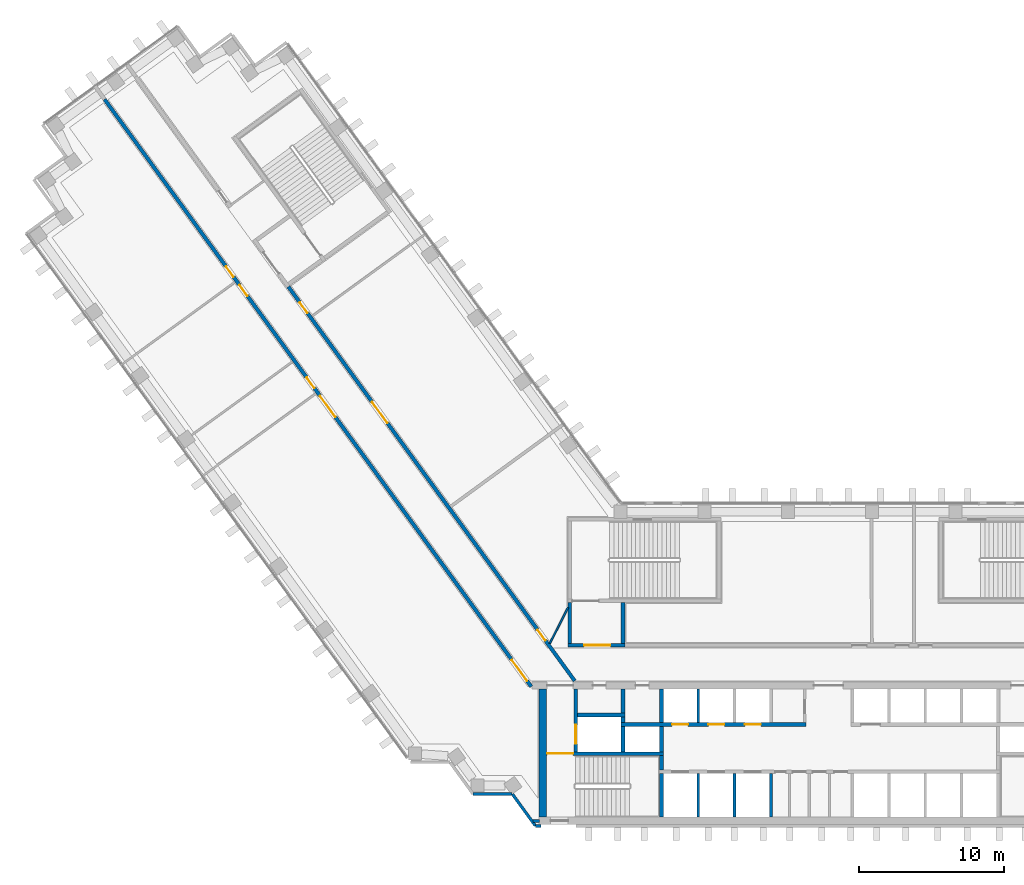
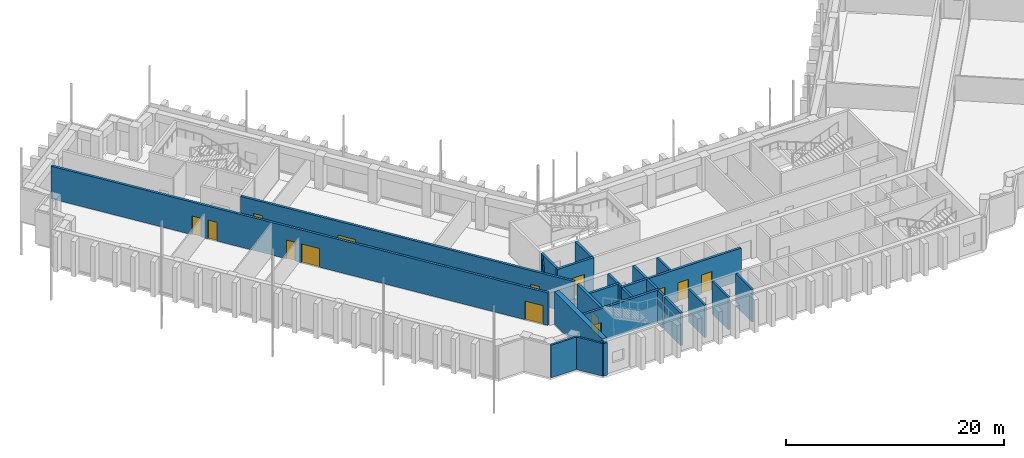
# One storey, part 9 of 16: 26 walls, 14 doors, 14 openings.
"""IFC4 building model written with IfcOpenShell, lengths in metres."""

from ifc_helpers import new_model, si_unit, direction, frame, frame_2d, origin, place, context, subcontext, project, spatial, rectangle, extrude, material, layer, layer_set, type_object, element, fill, save


model = new_model("IFC4")

# Units and contexts
model_context = context("Model", 3, precision=1e-05, world=origin(), true_north=direction((0.0, 1.0)))
body_context = subcontext(model_context, "Body", "Model", "MODEL_VIEW")
ifc_project = project(units=[si_unit("LENGTHUNIT", "METRE"), si_unit("AREAUNIT", "SQUARE_METRE"), si_unit("VOLUMEUNIT", "CUBIC_METRE"), si_unit("PLANEANGLEUNIT", "RADIAN"), si_unit("MASSUNIT", "GRAM", prefix="KILO")], contexts=[model_context])

# Site, building, storey
site_placement = place(None, origin())
site = spatial("IfcSite", under=ifc_project, at=site_placement, CompositionType="ELEMENT")
building_placement = place(site_placement, origin())
building = spatial("IfcBuilding", under=site, at=building_placement, Name="Quipu Civic Tower", CompositionType="ELEMENT")
storey_placement = place(building_placement, frame((0.0, 0.0, 125.0)))
storey = spatial("IfcBuildingStorey", under=building, at=storey_placement, Name="L29", CompositionType="ELEMENT", Elevation=125.0)

# Walls
ifc_material_1 = material(Name="Concrete C70/85", Category="concrete")
ifc_layer_1 = layer(ifc_material_1, 0.25)
ifc_layer_set_1 = layer_set([ifc_layer_1], Name="Concrete C70/85")
wall_type_1 = type_object("IfcWallType", Name="Core wall 250", PredefinedType="SHEAR", material=ifc_layer_set_1)
wall_1_placement = place(storey_placement, frame((-11.574951171875, -10.5, 0.0), z_axis=(0.0, 0.0, 1.0), x_axis=(0.0, 1.0, 0.0)))
element("IfcWall", 1, at=wall_1_placement, inside=storey, type_object=wall_type_1, Name="Core wall", PredefinedType="SHEAR", context=body_context, shape_type="SweptSolid", body=[
    extrude(rectangle(XDim=3.0, YDim=0.25, at=frame_2d((1.5, 0.0))), origin(), (0.0, 0.0, 1.0), 3.64990234375),
])
wall_2_placement = place(storey_placement, frame((-11.574951171875, -7.25, 0.0), z_axis=(0.0, 0.0, 1.0), x_axis=(0.0, 1.0, 0.0)))
element("IfcWall", 2, at=wall_2_placement, inside=storey, type_object=wall_type_1, Name="Core wall", PredefinedType="SHEAR", context=body_context, shape_type="SweptSolid", body=[
    extrude(rectangle(XDim=1.0, YDim=0.25, at=frame_2d((0.5, 0.0))), origin(), (0.0, 0.0, 1.0), 3.64990234375),
])

# Wall, opening, door
wall_3_placement = place(storey_placement, frame((-11.449951171875, -6.125, 0.0), z_axis=(0.0, 0.0, 1.0), x_axis=(-1.0, 0.0, 0.0)))
wall_3 = element("IfcWall", 3, at=wall_3_placement, inside=storey, type_object=wall_type_1, Name="Core wall", PredefinedType="SHEAR", context=body_context, shape_type="SweptSolid", body=[
    extrude(rectangle(XDim=8.050048828125, YDim=0.25, at=frame_2d((4.02490234375, 0.0))), origin(), (0.0, 0.0, 1.0), 3.64990234375),
])
opening_1_placement = place(wall_3_placement, frame((6.199951171875, 0.0, 0.0)))
opening_1 = element("IfcOpeningElement", 4, at=opening_1_placement, cuts=wall_3, Name="Opening CD-05", PredefinedType="OPENING", context=body_context, shape_type="SweptSolid", body=[
    extrude(rectangle(XDim=1.800048828125, YDim=2.10009765625, at=frame_2d((0.89990234375, 1.050048828125))), frame((0.0, 0.135009765625, 0.0), z_axis=(0.0, -1.0, 0.0), x_axis=(1.0, 0.0, 0.0)), (0.0, 0.0, 1.0), 0.27001953125),
])
ifc_material_2 = material(Name="Fire rated steel door", Category="steel")
door_type_1 = type_object("IfcDoorType", Name="Fire door FD90 double 1800 x 2100", OperationType="NOTDEFINED", PredefinedType="DOOR", material=ifc_material_2)
door_1_placement = place(opening_1_placement, origin())
door_1 = element("IfcDoor", 5, at=door_1_placement, inside=storey, type_object=door_type_1, Name="Door", OperationType="DOUBLE_DOOR_SINGLE_SWING", OverallHeight=2.10009765625, OverallWidth=1.800048828125, PredefinedType="DOOR", context=body_context, shape_type="SweptSolid", body=[
    extrude(rectangle(XDim=1.800048828125, YDim=2.10009765625, at=frame_2d((0.89990234375, 1.050048828125))), frame((0.0, 0.02490234375, 0.0), z_axis=(0.0, -1.0, 0.0), x_axis=(1.0, 0.0, 0.0)), (0.0, 0.0, 1.0), 0.050048828125),
])
fill(opening_1, door_1)

wall_4_placement = place(storey_placement, frame((-17.47509765625, -6.0, 0.0), z_axis=(0.0, 0.0, 1.0), x_axis=(0.0, 1.0, 0.0)))
wall_4 = element("IfcWall", 6, at=wall_4_placement, inside=storey, type_object=wall_type_1, Name="Core wall", PredefinedType="SHEAR", context=body_context, shape_type="SweptSolid", body=[
    extrude(rectangle(XDim=4.300048828125, YDim=0.25, at=frame_2d((2.14990234375, 0.0))), origin(), (0.0, 0.0, 1.0), 3.64990234375),
])
opening_2_placement = place(wall_4_placement, frame((0.550048828125, 0.0, 0.0)))
opening_2 = element("IfcOpeningElement", 7, at=opening_2_placement, cuts=wall_4, Name="Opening LD-FF1", PredefinedType="OPENING", context=body_context, shape_type="SweptSolid", body=[
    extrude(rectangle(XDim=1.300048828125, YDim=2.10009765625, at=frame_2d((0.64990234375, 1.050048828125))), frame((0.0, 0.135009765625, 0.0), z_axis=(0.0, -1.0, 0.0), x_axis=(1.0, 0.0, 0.0)), (0.0, 0.0, 1.0), 0.27001953125),
])
ifc_material_3 = material(Name="Stainless steel", Category="steel")
door_type_2 = type_object("IfcDoorType", Name="Lift landing door 1300 x 2100", OperationType="DOUBLE_DOOR_SLIDING", PredefinedType="DOOR", material=ifc_material_3)
door_2_placement = place(opening_2_placement, origin())
door_2 = element("IfcDoor", 8, at=door_2_placement, inside=storey, type_object=door_type_2, Name="Landing door FF1", OperationType="DOUBLE_DOOR_SLIDING", OverallHeight=2.10009765625, OverallWidth=1.300048828125, PredefinedType="DOOR", context=body_context, shape_type="SweptSolid", body=[
    extrude(rectangle(XDim=1.300048828125, YDim=2.10009765625, at=frame_2d((0.64990234375, 1.050048828125))), frame((0.0, 0.02490234375, 0.0), z_axis=(0.0, -1.0, 0.0), x_axis=(1.0, 0.0, 0.0)), (0.0, 0.0, 1.0), 0.050048828125),
])
fill(opening_2, door_2)

# Walls
for number, where, z_axis, x_axis, name in (
    (9, (-14.22509765625, -6.0, 0.0), (0.0, 0.0, 1.0), (0.0, 1.0, 0.0), "Core wall"),
    (10, (-11.574951171875, -6.0, 0.0), (0.0, 0.0, 1.0), (0.0, 1.0, 0.0), "Core wall"),
):
    element("IfcWall", number, at=place(storey_placement, frame(where, z_axis=z_axis, x_axis=x_axis)), inside=storey, type_object=wall_type_1, Name=name, PredefinedType="SHEAR", context=body_context, shape_type="SweptSolid", body=[
        extrude(rectangle(XDim=1.75, YDim=0.25, at=frame_2d((0.875, 0.0))), origin(), (0.0, 0.0, 1.0), 3.64990234375),
    ])

# Wall, openings, doors
wall_5_placement = place(storey_placement, frame((-14.35009765625, -4.125, 0.0), z_axis=(0.0, 0.0, 1.0), x_axis=(1.0, 0.0, 0.0)))
wall_5 = element("IfcWall", 11, at=wall_5_placement, inside=storey, type_object=wall_type_1, Name="Core wall", PredefinedType="SHEAR", context=body_context, shape_type="SweptSolid", body=[
    extrude(rectangle(XDim=12.7001953125, YDim=0.25, at=frame_2d((6.35009765625, 0.0))), origin(), (0.0, 0.0, 1.0), 3.64990234375),
])
opening_3_placement = place(wall_5_placement, frame((3.5, 0.0, 0.0)))
opening_3 = element("IfcOpeningElement", 12, at=opening_3_placement, cuts=wall_5, Name="Opening LD-LL4", PredefinedType="OPENING", context=body_context, shape_type="SweptSolid", body=[
    extrude(rectangle(XDim=1.10009765625, YDim=2.10009765625, at=frame_2d((0.550048828125, 1.050048828125))), frame((0.0, 0.135009765625, 0.0), z_axis=(0.0, -1.0, 0.0), x_axis=(1.0, 0.0, 0.0)), (0.0, 0.0, 1.0), 0.27001953125),
])
opening_4_placement = place(wall_5_placement, frame((6.0, 0.0, 0.0)))
opening_4 = element("IfcOpeningElement", 13, at=opening_4_placement, cuts=wall_5, Name="Opening LD-LL5", PredefinedType="OPENING", context=body_context, shape_type="SweptSolid", body=[
    extrude(rectangle(XDim=1.10009765625, YDim=2.10009765625, at=frame_2d((0.550048828125, 1.050048828125))), frame((0.0, 0.135009765625, 0.0), z_axis=(0.0, -1.0, 0.0), x_axis=(1.0, 0.0, 0.0)), (0.0, 0.0, 1.0), 0.27001953125),
])
opening_5_placement = place(wall_5_placement, frame((8.5, 0.0, 0.0)))
opening_5 = element("IfcOpeningElement", 14, at=opening_5_placement, cuts=wall_5, Name="Opening LD-LL6", PredefinedType="OPENING", context=body_context, shape_type="SweptSolid", body=[
    extrude(rectangle(XDim=1.10009765625, YDim=2.10009765625, at=frame_2d((0.550048828125, 1.050048828125))), frame((0.0, 0.135009765625, 0.0), z_axis=(0.0, -1.0, 0.0), x_axis=(1.0, 0.0, 0.0)), (0.0, 0.0, 1.0), 0.27001953125),
])
ifc_material_4 = material(Name="Stainless steel", Category="steel")
door_type_3 = type_object("IfcDoorType", Name="Lift landing door 1100 x 2100", OperationType="DOUBLE_DOOR_SLIDING", PredefinedType="DOOR", material=ifc_material_4)
door_3_placement = place(opening_3_placement, origin())
door_3 = element("IfcDoor", 15, at=door_3_placement, inside=storey, type_object=door_type_3, Name="Landing door LL4", OperationType="DOUBLE_DOOR_SLIDING", OverallHeight=2.10009765625, OverallWidth=1.10009765625, PredefinedType="DOOR", context=body_context, shape_type="SweptSolid", body=[
    extrude(rectangle(XDim=1.10009765625, YDim=2.10009765625, at=frame_2d((0.550048828125, 1.050048828125))), frame((0.0, 0.02490234375, 0.0), z_axis=(0.0, -1.0, 0.0), x_axis=(1.0, 0.0, 0.0)), (0.0, 0.0, 1.0), 0.050048828125),
])
fill(opening_3, door_3)
door_4_placement = place(opening_4_placement, origin())
door_4 = element("IfcDoor", 16, at=door_4_placement, inside=storey, type_object=door_type_3, Name="Landing door LL5", OperationType="DOUBLE_DOOR_SLIDING", OverallHeight=2.10009765625, OverallWidth=1.10009765625, PredefinedType="DOOR", context=body_context, shape_type="SweptSolid", body=[
    extrude(rectangle(XDim=1.10009765625, YDim=2.10009765625, at=frame_2d((0.550048828125, 1.050048828125))), frame((0.0, 0.02490234375, 0.0), z_axis=(0.0, -1.0, 0.0), x_axis=(1.0, 0.0, 0.0)), (0.0, 0.0, 1.0), 0.050048828125),
])
fill(opening_4, door_4)
door_5_placement = place(opening_5_placement, origin())
door_5 = element("IfcDoor", 17, at=door_5_placement, inside=storey, type_object=door_type_3, Name="Landing door LL6", OperationType="DOUBLE_DOOR_SLIDING", OverallHeight=2.10009765625, OverallWidth=1.10009765625, PredefinedType="DOOR", context=body_context, shape_type="SweptSolid", body=[
    extrude(rectangle(XDim=1.10009765625, YDim=2.10009765625, at=frame_2d((0.550048828125, 1.050048828125))), frame((0.0, 0.02490234375, 0.0), z_axis=(0.0, -1.0, 0.0), x_axis=(1.0, 0.0, 0.0)), (0.0, 0.0, 1.0), 0.050048828125),
])
fill(opening_5, door_5)

# Walls
wall_6_placement = place(storey_placement, frame((-14.22509765625, -4.0, 0.0), z_axis=(0.0, 0.0, 1.0), x_axis=(0.0, 1.0, 0.0)))
element("IfcWall", 18, at=wall_6_placement, inside=storey, type_object=wall_type_1, Name="Core wall", PredefinedType="SHEAR", context=body_context, shape_type="SweptSolid", body=[
    extrude(rectangle(XDim=0.39990234375, YDim=0.25, at=frame_2d((0.199951171875, 0.0))), origin(), (0.0, 0.0, 1.0), 3.64990234375),
])
wall_7_placement = place(storey_placement, frame((-11.574951171875, -4.0, 0.0), z_axis=(0.0, 0.0, 1.0), x_axis=(0.0, 1.0, 0.0)))
element("IfcWall", 19, at=wall_7_placement, inside=storey, type_object=wall_type_1, Name="Core wall", PredefinedType="SHEAR", context=body_context, shape_type="SweptSolid", body=[
    extrude(rectangle(XDim=2.300048828125, YDim=0.25, at=frame_2d((1.14990234375, 0.0))), origin(), (0.0, 0.0, 1.0), 3.64990234375),
])
wall_8_placement = place(storey_placement, frame((-17.35009765625, -3.47509765625, 0.0), z_axis=(0.0, 0.0, 1.0), x_axis=(1.0, 0.0, 0.0)))
element("IfcWall", 20, at=wall_8_placement, inside=storey, type_object=wall_type_1, Name="Core wall", PredefinedType="SHEAR", context=body_context, shape_type="SweptSolid", body=[
    extrude(rectangle(XDim=3.25, YDim=0.25, at=frame_2d((1.625, 0.0))), origin(), (0.0, 0.0, 1.0), 3.64990234375),
])
wall_9_placement = place(storey_placement, frame((-14.22509765625, -3.35009765625, 0.0), z_axis=(0.0, 0.0, 1.0), x_axis=(0.0, 1.0, 0.0)))
element("IfcWall", 21, at=wall_9_placement, inside=storey, type_object=wall_type_1, Name="Core wall", PredefinedType="SHEAR", context=body_context, shape_type="SweptSolid", body=[
    extrude(rectangle(XDim=1.650146484375, YDim=0.25, at=frame_2d((0.8251953125, 0.0))), origin(), (0.0, 0.0, 1.0), 3.64990234375),
])

# Wall, opening, door
wall_10_placement = place(storey_placement, frame((-18.0, 1.324951171875, 0.0), z_axis=(0.0, 0.0, 1.0), x_axis=(1.0, 0.0, 0.0)))
wall_10 = element("IfcWall", 22, at=wall_10_placement, inside=storey, type_object=wall_type_1, Name="Core wall", PredefinedType="SHEAR", context=body_context, shape_type="SweptSolid", body=[
    extrude(rectangle(XDim=3.89990234375, YDim=0.25, at=frame_2d((1.949951171875, 0.0))), origin(), (0.0, 0.0, 1.0), 3.64990234375),
])
opening_6_placement = place(wall_10_placement, frame((1.10009765625, 0.0, 0.0)))
opening_6 = element("IfcOpeningElement", 23, at=opening_6_placement, cuts=wall_10, Name="Opening CD-16", PredefinedType="OPENING", context=body_context, shape_type="SweptSolid", body=[
    extrude(rectangle(XDim=1.800048828125, YDim=2.10009765625, at=frame_2d((0.89990234375, 1.050048828125))), frame((0.0, 0.135009765625, 0.0), z_axis=(0.0, -1.0, 0.0), x_axis=(1.0, 0.0, 0.0)), (0.0, 0.0, 1.0), 0.27001953125),
])
door_6_placement = place(opening_6_placement, origin())
door_6 = element("IfcDoor", 24, at=door_6_placement, inside=storey, type_object=door_type_1, Name="Lobby door", OperationType="DOUBLE_DOOR_SINGLE_SWING", OverallHeight=2.10009765625, OverallWidth=1.800048828125, PredefinedType="DOOR", context=body_context, shape_type="SweptSolid", body=[
    extrude(rectangle(XDim=1.800048828125, YDim=2.10009765625, at=frame_2d((0.89990234375, 1.050048828125))), frame((0.0, 0.02490234375, 0.0), z_axis=(0.0, -1.0, 0.0), x_axis=(1.0, 0.0, 0.0)), (0.0, 0.0, 1.0), 0.050048828125),
])
fill(opening_6, door_6)

# Walls
for number, where, z_axis, x_axis, name in (
    (25, (-17.875, 1.449951171875, 0.0), (0.0, 0.0, 1.0), (0.0, 1.0, 0.0), "Core wall"),
    (26, (-14.22509765625, 1.449951171875, 0.0), (0.0, 0.0, 1.0), (0.0, 1.0, 0.0), "Core wall"),
):
    element("IfcWall", number, at=place(storey_placement, frame(where, z_axis=z_axis, x_axis=x_axis)), inside=storey, type_object=wall_type_1, Name=name, PredefinedType="SHEAR", context=body_context, shape_type="SweptSolid", body=[
        extrude(rectangle(XDim=2.800048828125, YDim=0.25, at=frame_2d((1.39990234375, 0.0))), origin(), (0.0, 0.0, 1.0), 3.64990234375),
    ])
ifc_material_5 = material(Name="Concrete C70/85", Category="concrete")
ifc_layer_2 = layer(ifc_material_5, 0.5)
ifc_layer_set_2 = layer_set([ifc_layer_2], Name="Concrete C70/85")
wall_type_2 = type_object("IfcWallType", Name="Core wall 500", PredefinedType="SHEAR", material=ifc_layer_set_2)
wall_11_placement = place(storey_placement, frame((-19.75, -10.5, 0.0), z_axis=(0.0, 0.0, 1.0), x_axis=(0.0, 1.0, 0.0)))
element("IfcWall", 27, at=wall_11_placement, inside=storey, type_object=wall_type_2, Name="Core wall", PredefinedType="SHEAR", context=body_context, shape_type="SweptSolid", body=[
    extrude(rectangle(XDim=8.800048828125, YDim=0.5, at=frame_2d((4.39990234375, 0.0))), origin(), (0.0, 0.0, 1.0), 3.64990234375),
])

# Wall, openings, doors
ifc_material_6 = material(Name="Concrete C50/60", Category="concrete")
ifc_layer_3 = layer(ifc_material_6, 0.25)
ifc_layer_set_3 = layer_set([ifc_layer_3], Name="Concrete C50/60")
wall_type_3 = type_object("IfcWallType", Name="Corridor wall 250 concrete", PredefinedType="SOLIDWALL", material=ifc_layer_set_3)
wall_12_placement = place(storey_placement, frame((-20.531005859375, -1.5234375, 0.0), z_axis=(0.0, 0.0, 1.0), x_axis=(-0.587784522481, 0.809017524614, 0.0)))
wall_12 = element("IfcWall", 28, at=wall_12_placement, inside=storey, type_object=wall_type_3, Name="Corridor wall C01", PredefinedType="SOLIDWALL", context=body_context, shape_type="SweptSolid", body=[
    extrude(rectangle(XDim=49.912353515625, YDim=0.25, at=frame_2d((24.9560546875, 0.0))), origin(), (0.0, 0.0, 1.0), 3.64990234375),
])
opening_7_placement = place(wall_12_placement, frame((34.816162109375, 0.0, 0.0)))
opening_7 = element("IfcOpeningElement", 29, at=opening_7_placement, cuts=wall_12, Name="Opening D013", PredefinedType="OPENING", context=body_context, shape_type="SweptSolid", body=[
    extrude(rectangle(XDim=0.89990234375, YDim=2.10009765625, at=frame_2d((0.449951171875, 1.050048828125))), frame((0.0, 0.135009765625, 0.0), z_axis=(0.0, -1.0, 0.0), x_axis=(1.0, 0.0, 0.0)), (0.0, 0.0, 1.0), 0.27001953125),
])
opening_8_placement = place(wall_12_placement, frame((33.21533203125, 0.0, 0.0)))
opening_8 = element("IfcOpeningElement", 30, at=opening_8_placement, cuts=wall_12, Name="Opening D014", PredefinedType="OPENING", context=body_context, shape_type="SweptSolid", body=[
    extrude(rectangle(XDim=0.89990234375, YDim=2.10009765625, at=frame_2d((0.449951171875, 1.050048828125))), frame((0.0, 0.135009765625, 0.0), z_axis=(0.0, -1.0, 0.0), x_axis=(1.0, 0.0, 0.0)), (0.0, 0.0, 1.0), 0.27001953125),
])
opening_9_placement = place(wall_12_placement, frame((22.915771484375, 0.0, 0.0)))
opening_9 = element("IfcOpeningElement", 31, at=opening_9_placement, cuts=wall_12, Name="Opening D016", PredefinedType="OPENING", context=body_context, shape_type="SweptSolid", body=[
    extrude(rectangle(XDim=1.800048828125, YDim=2.10009765625, at=frame_2d((0.89990234375, 1.050048828125))), frame((0.0, 0.135009765625, 0.0), z_axis=(0.0, -1.0, 0.0), x_axis=(1.0, 0.0, 0.0)), (0.0, 0.0, 1.0), 0.27001953125),
])
opening_10_placement = place(wall_12_placement, frame((0.483154296875, 0.0, 0.0)))
opening_10 = element("IfcOpeningElement", 32, at=opening_10_placement, cuts=wall_12, Name="Opening D017", PredefinedType="OPENING", context=body_context, shape_type="SweptSolid", body=[
    extrude(rectangle(XDim=1.800048828125, YDim=2.10009765625, at=frame_2d((0.89990234375, 1.050048828125))), frame((0.0, 0.135009765625, 0.0), z_axis=(0.0, -1.0, 0.0), x_axis=(1.0, 0.0, 0.0)), (0.0, 0.0, 1.0), 0.27001953125),
])
opening_11_placement = place(wall_12_placement, frame((25.365234375, 0.0, 0.0)))
opening_11 = element("IfcOpeningElement", 33, at=opening_11_placement, cuts=wall_12, Name="Opening D015", PredefinedType="OPENING", context=body_context, shape_type="SweptSolid", body=[
    extrude(rectangle(XDim=0.89990234375, YDim=2.10009765625, at=frame_2d((0.449951171875, 1.050048828125))), frame((0.0, 0.135009765625, 0.0), z_axis=(0.0, -1.0, 0.0), x_axis=(1.0, 0.0, 0.0)), (0.0, 0.0, 1.0), 0.27001953125),
])
ifc_material_7 = material(Name="Fire rated timber door set with metal frame", Category="wood")
door_type_4 = type_object("IfcDoorType", Name="Double door 1800 x 2100 FD60", OperationType="DOUBLE_DOOR_SINGLE_SWING", PredefinedType="DOOR", material=ifc_material_7)
door_7_placement = place(opening_9_placement, origin())
door_7 = element("IfcDoor", 34, at=door_7_placement, inside=storey, type_object=door_type_4, Name="Door D016", OperationType="DOUBLE_DOOR_SINGLE_SWING", OverallHeight=2.10009765625, OverallWidth=1.800048828125, PredefinedType="DOOR", context=body_context, shape_type="SweptSolid", body=[
    extrude(rectangle(XDim=1.800048828125, YDim=2.10009765625, at=frame_2d((0.89990234375, 1.050048828125))), frame((0.0, 0.02490234375, 0.0), z_axis=(0.0, -1.0, 0.0), x_axis=(1.0, 0.0, 0.0)), (0.0, 0.0, 1.0), 0.050048828125),
])
fill(opening_9, door_7)
door_8_placement = place(opening_10_placement, origin())
door_8 = element("IfcDoor", 35, at=door_8_placement, inside=storey, type_object=door_type_4, Name="Door D017", OperationType="DOUBLE_DOOR_SINGLE_SWING", OverallHeight=2.10009765625, OverallWidth=1.800048828125, PredefinedType="DOOR", context=body_context, shape_type="SweptSolid", body=[
    extrude(rectangle(XDim=1.800048828125, YDim=2.10009765625, at=frame_2d((0.89990234375, 1.050048828125))), frame((0.0, 0.02490234375, 0.0), z_axis=(0.0, -1.0, 0.0), x_axis=(1.0, 0.0, 0.0)), (0.0, 0.0, 1.0), 0.050048828125),
])
fill(opening_10, door_8)
ifc_material_8 = material(Name="Fire rated timber door set with metal frame", Category="wood")
door_type_5 = type_object("IfcDoorType", Name="Single door 900 x 2100 FD60", OperationType="NOTDEFINED", PredefinedType="DOOR", material=ifc_material_8)
door_9_placement = place(opening_7_placement, origin())
door_9 = element("IfcDoor", 36, at=door_9_placement, inside=storey, type_object=door_type_5, Name="Door D013", OperationType="SINGLE_SWING_LEFT", OverallHeight=2.10009765625, OverallWidth=0.89990234375, PredefinedType="DOOR", context=body_context, shape_type="SweptSolid", body=[
    extrude(rectangle(XDim=0.89990234375, YDim=2.10009765625, at=frame_2d((0.449951171875, 1.050048828125))), frame((0.0, 0.02490234375, 0.0), z_axis=(0.0, -1.0, 0.0), x_axis=(1.0, 0.0, 0.0)), (0.0, 0.0, 1.0), 0.050048828125),
])
fill(opening_7, door_9)
door_10_placement = place(opening_8_placement, origin())
door_10 = element("IfcDoor", 37, at=door_10_placement, inside=storey, type_object=door_type_5, Name="Door D014", OperationType="SINGLE_SWING_RIGHT", OverallHeight=2.10009765625, OverallWidth=0.89990234375, PredefinedType="DOOR", context=body_context, shape_type="SweptSolid", body=[
    extrude(rectangle(XDim=0.89990234375, YDim=2.10009765625, at=frame_2d((0.449951171875, 1.050048828125))), frame((0.0, 0.02490234375, 0.0), z_axis=(0.0, -1.0, 0.0), x_axis=(1.0, 0.0, 0.0)), (0.0, 0.0, 1.0), 0.050048828125),
])
fill(opening_8, door_10)
door_11_placement = place(opening_11_placement, origin())
door_11 = element("IfcDoor", 38, at=door_11_placement, inside=storey, type_object=door_type_5, Name="Door D015", OperationType="SINGLE_SWING_LEFT", OverallHeight=2.10009765625, OverallWidth=0.89990234375, PredefinedType="DOOR", context=body_context, shape_type="SweptSolid", body=[
    extrude(rectangle(XDim=0.89990234375, YDim=2.10009765625, at=frame_2d((0.449951171875, 1.050048828125))), frame((0.0, 0.02490234375, 0.0), z_axis=(0.0, -1.0, 0.0), x_axis=(1.0, 0.0, 0.0)), (0.0, 0.0, 1.0), 0.050048828125),
])
fill(opening_11, door_11)

wall_13_placement = place(storey_placement, frame((-37.231689453125, 25.9716796875, 0.0), z_axis=(0.0, 0.0, 1.0), x_axis=(0.587786323093, -0.809016216391, 0.0)))
wall_13 = element("IfcWall", 39, at=wall_13_placement, inside=storey, type_object=wall_type_3, Name="Corridor wall C03", PredefinedType="SOLIDWALL", context=body_context, shape_type="SweptSolid", body=[
    extrude(rectangle(XDim=33.4931640625, YDim=0.25, at=frame_2d((16.74658203125, 0.0))), origin(), (0.0, 0.0, 1.0), 3.64990234375),
])
opening_12_placement = place(wall_13_placement, frame((9.784912109375, 0.0, 0.0)))
opening_12 = element("IfcOpeningElement", 40, at=opening_12_placement, cuts=wall_13, Name="Opening D011", PredefinedType="OPENING", context=body_context, shape_type="SweptSolid", body=[
    extrude(rectangle(XDim=1.800048828125, YDim=2.10009765625, at=frame_2d((0.89990234375, 1.050048828125))), frame((0.0, 0.135009765625, 0.0), z_axis=(0.0, -1.0, 0.0), x_axis=(1.0, 0.0, 0.0)), (0.0, 0.0, 1.0), 0.27001953125),
])
opening_13_placement = place(wall_13_placement, frame((29.151611328125, 0.0, 0.0)))
opening_13 = element("IfcOpeningElement", 41, at=opening_13_placement, cuts=wall_13, Name="Opening D012", PredefinedType="OPENING", context=body_context, shape_type="SweptSolid", body=[
    extrude(rectangle(XDim=0.89990234375, YDim=2.10009765625, at=frame_2d((0.449951171875, 1.050048828125))), frame((0.0, 0.135009765625, 0.0), z_axis=(0.0, -1.0, 0.0), x_axis=(1.0, 0.0, 0.0)), (0.0, 0.0, 1.0), 0.27001953125),
])
opening_14_placement = place(wall_13_placement, frame((1.335205078125, 0.0, 0.0)))
opening_14 = element("IfcOpeningElement", 42, at=opening_14_placement, cuts=wall_13, Name="Opening D010", PredefinedType="OPENING", context=body_context, shape_type="SweptSolid", body=[
    extrude(rectangle(XDim=0.89990234375, YDim=2.10009765625, at=frame_2d((0.449951171875, 1.050048828125))), frame((0.0, 0.135009765625, 0.0), z_axis=(0.0, -1.0, 0.0), x_axis=(1.0, 0.0, 0.0)), (0.0, 0.0, 1.0), 0.27001953125),
])
door_12_placement = place(opening_12_placement, origin())
door_12 = element("IfcDoor", 43, at=door_12_placement, inside=storey, type_object=door_type_4, Name="Door D011", OperationType="DOUBLE_DOOR_SINGLE_SWING", OverallHeight=2.10009765625, OverallWidth=1.800048828125, PredefinedType="DOOR", context=body_context, shape_type="SweptSolid", body=[
    extrude(rectangle(XDim=1.800048828125, YDim=2.10009765625, at=frame_2d((0.89990234375, 1.050048828125))), frame((0.0, 0.02490234375, 0.0), z_axis=(0.0, -1.0, 0.0), x_axis=(1.0, 0.0, 0.0)), (0.0, 0.0, 1.0), 0.050048828125),
])
fill(opening_12, door_12)
door_13_placement = place(opening_13_placement, origin())
door_13 = element("IfcDoor", 44, at=door_13_placement, inside=storey, type_object=door_type_5, Name="Door D012", OperationType="SINGLE_SWING_RIGHT", OverallHeight=2.10009765625, OverallWidth=0.89990234375, PredefinedType="DOOR", context=body_context, shape_type="SweptSolid", body=[
    extrude(rectangle(XDim=0.89990234375, YDim=2.10009765625, at=frame_2d((0.449951171875, 1.050048828125))), frame((0.0, 0.02490234375, 0.0), z_axis=(0.0, -1.0, 0.0), x_axis=(1.0, 0.0, 0.0)), (0.0, 0.0, 1.0), 0.050048828125),
])
fill(opening_13, door_13)
door_14_placement = place(opening_14_placement, origin())
door_14 = element("IfcDoor", 45, at=door_14_placement, inside=storey, type_object=door_type_5, Name="Door D010", OperationType="SINGLE_SWING_RIGHT", OverallHeight=2.10009765625, OverallWidth=0.89990234375, PredefinedType="DOOR", context=body_context, shape_type="SweptSolid", body=[
    extrude(rectangle(XDim=0.89990234375, YDim=2.10009765625, at=frame_2d((0.449951171875, 1.050048828125))), frame((0.0, 0.02490234375, 0.0), z_axis=(0.0, -1.0, 0.0), x_axis=(1.0, 0.0, 0.0)), (0.0, 0.0, 1.0), 0.050048828125),
])
fill(opening_14, door_14)

# Walls
ifc_material_9 = material(Name="Gypsum plasterboard on light gauge framing")
ifc_layer_4 = layer(ifc_material_9, 0.1201171875)
ifc_layer_set_4 = layer_set([ifc_layer_4], Name="Gypsum plasterboard on light gauge framing")
wall_type_4 = type_object("IfcWallType", Name="Partition 120 plasterboard", PredefinedType="PARTITIONING", material=ifc_layer_set_4)
wall_14_placement = place(storey_placement, frame((-19.260986328125, 1.449951171875, 0.0), z_axis=(0.0, 0.0, 1.0), x_axis=(0.453950796792, 0.891026752736, 0.0)))
element("IfcWall", 46, at=wall_14_placement, inside=storey, type_object=wall_type_4, Name="Partition P14", PredefinedType="PARTITIONING", context=body_context, shape_type="SweptSolid", body=[
    extrude(rectangle(XDim=2.77783203125, YDim=0.1201171875, at=frame_2d((1.388916015625, 0.0))), origin(), (0.0, 0.0, 1.0), 3.64990234375),
])
ifc_material_10 = material(Name="Precast concrete C40/50", Category="concrete")
wall_type_5 = type_object("IfcWallType", Name="Precast cladding wall", PredefinedType="SOLIDWALL", material=ifc_material_10)
wall_15_placement = place(storey_placement, frame((-24.542724609375, -8.90380859375, 0.0), z_axis=(0.0, 0.0, 1.0), x_axis=(1.0, 0.0, 0.0)))
element("IfcWall", 47, at=wall_15_placement, inside=storey, type_object=wall_type_5, Name="Precast cladding wall L29 P17", PredefinedType="SOLIDWALL", context=body_context, shape_type="SweptSolid", body=[
    extrude(rectangle(XDim=2.699951171875, YDim=0.199951171875, at=frame_2d((1.35009765625, 0.0))), origin(), (0.0, 0.0, 1.0), 3.64990234375),
])
wall_16_placement = place(storey_placement, frame((-21.8330078125, -8.90869140625, 0.0), z_axis=(0.0, 0.0, 1.0), x_axis=(0.587766567315, -0.809030569476, 0.0)))
element("IfcWall", 48, at=wall_16_placement, inside=storey, type_object=wall_type_5, Name="Precast cladding wall L29 P18", PredefinedType="SOLIDWALL", context=body_context, shape_type="SweptSolid", body=[
    extrude(rectangle(XDim=2.687744140625, YDim=0.199951171875, at=frame_2d((1.34375, 0.0))), origin(), (0.0, 0.0, 1.0), 3.64990234375),
])
wall_17_placement = place(storey_placement, frame((-20.255859375, -11.087890625, 0.0), z_axis=(0.0, 0.0, 1.0), x_axis=(1.0, 0.0, 0.0)))
element("IfcWall", 49, at=wall_17_placement, inside=storey, type_object=wall_type_5, Name="Precast cladding wall L29 P19", PredefinedType="SOLIDWALL", context=body_context, shape_type="SweptSolid", body=[
    extrude(rectangle(XDim=0.40576171875, YDim=0.199951171875, at=frame_2d((0.202880859375, 0.0))), origin(), (0.0, 0.0, 1.0), 3.64990234375),
])
wall_18_placement = place(storey_placement, frame((-19.97998046875, -10.75, 0.0), z_axis=(0.0, 0.0, 1.0), x_axis=(-1.0, 0.0, 0.0)))
element("IfcWall", 50, at=wall_18_placement, inside=storey, type_object=wall_type_5, Name="Precast cladding return L29 W", PredefinedType="SOLIDWALL", context=body_context, shape_type="SweptSolid", body=[
    extrude(rectangle(XDim=0.41650390625, YDim=0.199951171875, at=frame_2d((0.208251953125, 0.0))), origin(), (0.0, 0.0, 1.0), 3.64990234375),
])
ifc_material_11 = material(Name="Concrete C40/50", Category="concrete")
ifc_layer_5 = layer(ifc_material_11, 0.199951171875)
ifc_layer_set_5 = layer_set([ifc_layer_5], Name="Concrete C40/50")
wall_type_6 = type_object("IfcWallType", Name="Shaft wall 200", PredefinedType="SOLIDWALL", material=ifc_layer_set_5)
for number, where, z_axis, x_axis, name in (
    (51, (-9.050048828125, -10.5, 0.0), (0.0, 0.0, 1.0), (0.0, 1.0, 0.0), "Shaft wall"),
    (52, (-6.550048828125, -10.5, 0.0), (0.0, 0.0, 1.0), (0.0, 1.0, 0.0), "Shaft wall"),
    (53, (-4.050048828125, -10.5, 0.0), (0.0, 0.0, 1.0), (0.0, 1.0, 0.0), "Shaft wall"),
):
    element("IfcWall", number, at=place(storey_placement, frame(where, z_axis=z_axis, x_axis=x_axis)), inside=storey, type_object=wall_type_6, Name=name, PredefinedType="SOLIDWALL", context=body_context, shape_type="SweptSolid", body=[
        extrude(rectangle(XDim=3.0, YDim=0.199951171875, at=frame_2d((1.5, 0.0))), origin(), (0.0, 0.0, 1.0), 3.64990234375),
    ])
wall_19_placement = place(storey_placement, frame((-9.050048828125, -4.0, 0.0), z_axis=(0.0, 0.0, 1.0), x_axis=(0.0, 1.0, 0.0)))
element("IfcWall", 54, at=wall_19_placement, inside=storey, type_object=wall_type_6, Name="Shaft wall", PredefinedType="SOLIDWALL", context=body_context, shape_type="SweptSolid", body=[
    extrude(rectangle(XDim=2.300048828125, YDim=0.199951171875, at=frame_2d((1.14990234375, 0.0))), origin(), (0.0, 0.0, 1.0), 3.64990234375),
])

save(model, "model.ifc")
